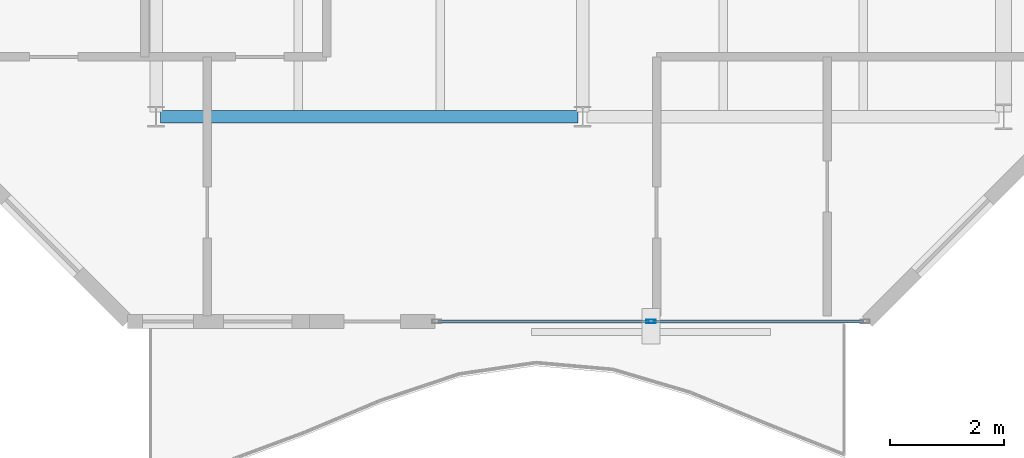
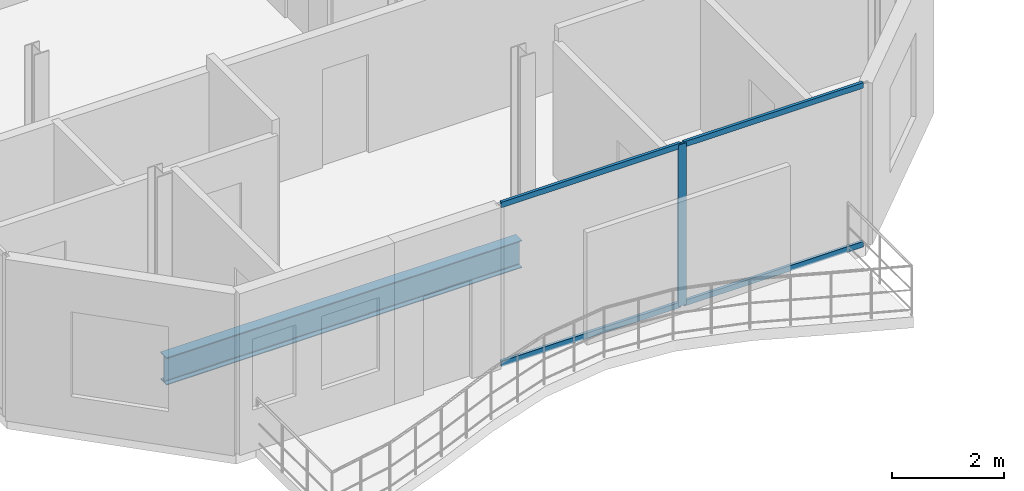
# One storey, part 4 of 24: 5 members, 1 beam, 1 element without a shape of its own.
"""IFC4 building model written with IfcOpenShell, lengths in metres."""

from ifc_helpers import new_model, si_unit, direction, frame, origin, origin_2d, place, context, subcontext, project, spatial, hollow_rectangle, i_section, extrude, material, layer, layer_set, material_profile, profile_set, type_object, element, aggregate, save


model = new_model("IFC4")

# Units and contexts
model_context = context("Model", 3, precision=1e-05, world=origin(), true_north=direction((0.0, 1.0)))
body_context = subcontext(model_context, "Body", "Model", "MODEL_VIEW")
ifc_project = project(units=[si_unit("LENGTHUNIT", "METRE"), si_unit("AREAUNIT", "SQUARE_METRE"), si_unit("VOLUMEUNIT", "CUBIC_METRE"), si_unit("PLANEANGLEUNIT", "RADIAN"), si_unit("MASSUNIT", "GRAM", prefix="KILO")], contexts=[model_context])

# Site, building, storey
site_placement = place(None, origin())
site = spatial("IfcSite", under=ifc_project, at=site_placement, CompositionType="ELEMENT")
building_placement = place(site_placement, origin())
building = spatial("IfcBuilding", under=site, at=building_placement, Name="Catumbela Crestline Tower", CompositionType="ELEMENT")
storey_placement = place(building_placement, frame((0.0, 0.0, 237.4)))
storey = spatial("IfcBuildingStorey", under=building, at=storey_placement, Name="L61", CompositionType="ELEMENT", Elevation=237.4)

# Beam
ifc_material_1 = material(Name="Structural steel S355J2", Category="steel")
ifc_material_profile_1 = material_profile(ifc_material_1, i_section(OverallWidth=0.22, OverallDepth=0.6, WebThickness=0.012, FlangeThickness=0.019, FilletRadius=0.024, at=origin_2d()), Name="IPE 600")
ifc_profile_set_1 = profile_set([ifc_material_profile_1], Name="Structural steel S355J2")
beam_type = type_object("IfcBeamType", Name="BG-IPE600", PredefinedType="BEAM", material=ifc_profile_set_1)
beam_placement = place(storey_placement, frame((8.58, 13.6, -0.56), z_axis=(1.0, 0.0, 0.0), x_axis=(0.0, 1.0, 0.0)))
element("IfcBeam", 1, at=beam_placement, inside=storey, type_object=beam_type, Name="L61 Beam BM-L61-WEW27", PredefinedType="BEAM", context=body_context, shape_type="SweptSolid", body=[
    extrude(i_section(OverallWidth=0.22, OverallDepth=0.6, WebThickness=0.012, FlangeThickness=0.019, FilletRadius=0.024, at=origin_2d()), origin(), (0.0, 0.0, 1.0), 7.34),
])

# Curtain wall, members
ifc_material_2 = material(Name="Aluminium alloy AW-6060-T66", Category="aluminium")
ifc_layer = layer(ifc_material_2, 0.18, Name="Aluminium alloy AW-6060-T66")
ifc_layer_set = layer_set([ifc_layer], Name="Aluminium alloy AW-6060-T66")
curtain_wall_type = type_object("IfcCurtainWallType", Name="CWU-Z4", PredefinedType="USERDEFINED", material=ifc_layer_set)
curtain_wall_placement = place(storey_placement, origin())
curtain_wall = element("IfcCurtainWall", 2, at=curtain_wall_placement, inside=storey, type_object=curtain_wall_type, Name="L61 Unitised Curtain Wall CW-L61-E0S2", ObjectType="UNITISED", PredefinedType="USERDEFINED")
ifc_material_profile_2 = material_profile(ifc_material_2, hollow_rectangle(XDim=0.06, YDim=0.16, WallThickness=0.004, at=origin_2d()), Name="ALU 160x60x4")
ifc_profile_set_2 = profile_set([ifc_material_profile_2], Name="Aluminium alloy AW-6060-T66")
member_type_1 = type_object("IfcMemberType", Name="MUL-160X60", PredefinedType="MULLION", material=ifc_profile_set_2)
member_1_placement = place(storey_placement, frame((17.2, 10.0, 0.0), z_axis=(0.0, 0.0, 1.0), x_axis=(0.0, 1.0, 0.0)))
member_1 = element("IfcMember", 3, at=member_1_placement, type_object=member_type_1, Name="CWU-Z4 mullion 2", PredefinedType="MULLION", context=body_context, shape_type="SweptSolid", body=[
    extrude(hollow_rectangle(XDim=0.06, YDim=0.16, WallThickness=0.004, at=origin_2d()), origin(), (0.0, 0.0, 1.0), 3.53),
])
ifc_material_profile_3 = material_profile(ifc_material_2, hollow_rectangle(XDim=0.06, YDim=0.12, WallThickness=0.0035, at=origin_2d()), Name="ALU 120x60x3.5")
ifc_profile_set_3 = profile_set([ifc_material_profile_3], Name="Aluminium alloy AW-6060-T66")
member_type_2 = type_object("IfcMemberType", Name="TRN-120X60", PredefinedType="USERDEFINED", material=ifc_profile_set_3)
member_2_placement = place(storey_placement, frame((13.465, 10.0, 0.03), z_axis=(1.0, 0.0, 0.0), x_axis=(0.0, 1.0, 0.0)))
member_2 = element("IfcMember", 4, at=member_2_placement, type_object=member_type_2, Name="CWU-Z4 transom 1.1", ObjectType="TRANSOM", PredefinedType="USERDEFINED", context=body_context, shape_type="SweptSolid", body=[
    extrude(hollow_rectangle(XDim=0.06, YDim=0.12, WallThickness=0.0035, at=origin_2d()), origin(), (0.0, 0.0, 1.0), 3.7025),
])
member_3_placement = place(storey_placement, frame((13.465, 10.0, 3.5), z_axis=(1.0, 0.0, 0.0), x_axis=(0.0, 1.0, 0.0)))
member_3 = element("IfcMember", 5, at=member_3_placement, type_object=member_type_2, Name="CWU-Z4 transom 1.2", ObjectType="TRANSOM", PredefinedType="USERDEFINED", context=body_context, shape_type="SweptSolid", body=[
    extrude(hollow_rectangle(XDim=0.06, YDim=0.12, WallThickness=0.0035, at=origin_2d()), origin(), (0.0, 0.0, 1.0), 3.7025),
])
member_4_placement = place(storey_placement, frame((17.2325, 10.0, 0.03), z_axis=(1.0, 0.0, 0.0), x_axis=(0.0, 1.0, 0.0)))
member_4 = element("IfcMember", 6, at=member_4_placement, type_object=member_type_2, Name="CWU-Z4 transom 2.1", ObjectType="TRANSOM", PredefinedType="USERDEFINED", context=body_context, shape_type="SweptSolid", body=[
    extrude(hollow_rectangle(XDim=0.06, YDim=0.12, WallThickness=0.0035, at=origin_2d()), origin(), (0.0, 0.0, 1.0), 3.7025),
])
member_5_placement = place(storey_placement, frame((17.2325, 10.0, 3.5), z_axis=(1.0, 0.0, 0.0), x_axis=(0.0, 1.0, 0.0)))
member_5 = element("IfcMember", 7, at=member_5_placement, type_object=member_type_2, Name="CWU-Z4 transom 2.2", ObjectType="TRANSOM", PredefinedType="USERDEFINED", context=body_context, shape_type="SweptSolid", body=[
    extrude(hollow_rectangle(XDim=0.06, YDim=0.12, WallThickness=0.0035, at=origin_2d()), origin(), (0.0, 0.0, 1.0), 3.7025),
])
aggregate(curtain_wall, [member_1, member_2, member_3, member_4, member_5])

save(model, "model.ifc")
